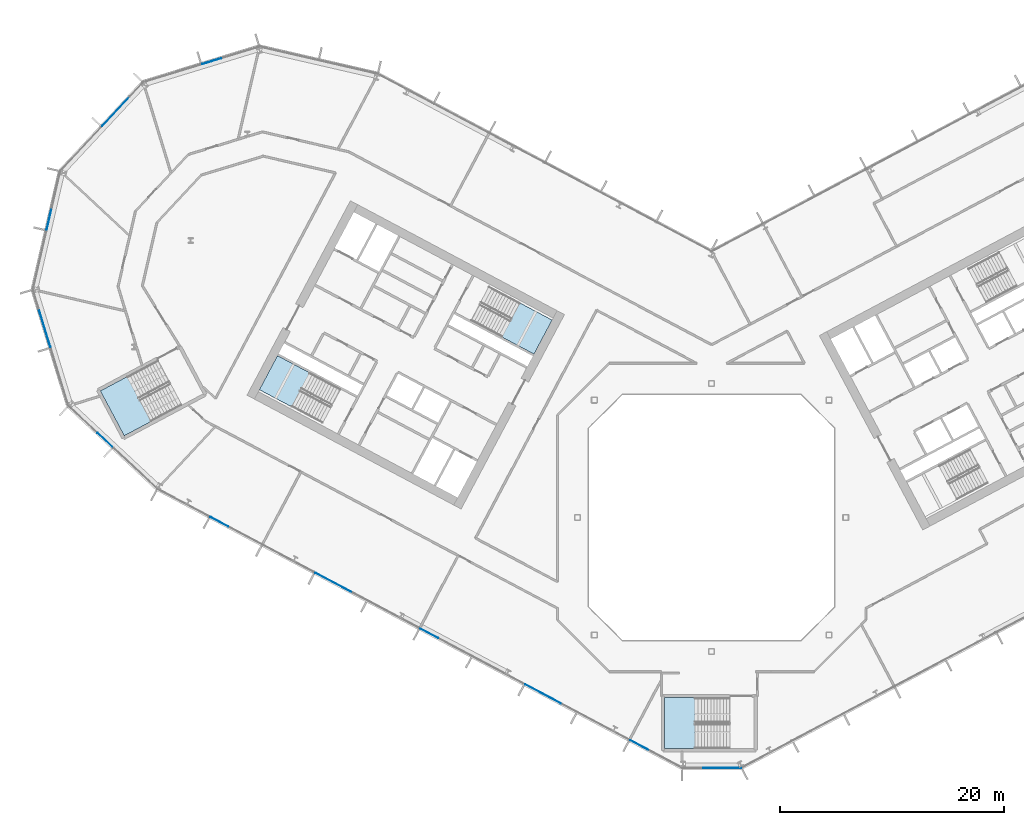
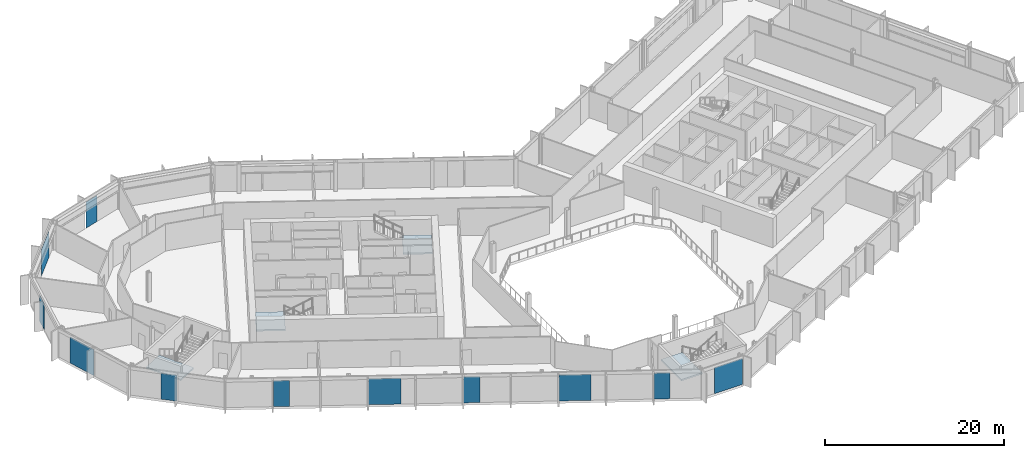
# One storey, part 11 of 28: 11 plates, 4 slabs, 11 elements without a shape of their own.
"""IFC4 building model written with IfcOpenShell, lengths in metres."""

from ifc_helpers import new_model, si_unit, direction, frame, origin, origin_2d, place, context, subcontext, project, spatial, polyline, rectangle, outline, extrude, material, layer, layer_set, type_object, element, aggregate, save


model = new_model("IFC4")

# Units and contexts
model_context = context("Model", 3, precision=1e-05, world=origin(), true_north=direction((0.0, 1.0)))
body_context = subcontext(model_context, "Body", "Model", "MODEL_VIEW")
ifc_project = project(units=[si_unit("LENGTHUNIT", "METRE"), si_unit("AREAUNIT", "SQUARE_METRE"), si_unit("VOLUMEUNIT", "CUBIC_METRE"), si_unit("PLANEANGLEUNIT", "RADIAN"), si_unit("MASSUNIT", "GRAM", prefix="KILO")], contexts=[model_context])

# Site, building, storey
site_placement = place(None, origin())
site = spatial("IfcSite", under=ifc_project, at=site_placement, CompositionType="ELEMENT")
building_placement = place(site_placement, origin())
building = spatial("IfcBuilding", under=site, at=building_placement, Name="Cormorant Relay Tower", CompositionType="ELEMENT")
storey_placement = place(building_placement, frame((0.0, 0.0, 122.199951171875)))
storey = spatial("IfcBuildingStorey", under=building, at=storey_placement, Name="L24", CompositionType="ELEMENT", Elevation=122.199951171875)

# Curtain wall, plate
ifc_material_1 = material(Name="Aluminium 6063-T6 anodised bronze", Category="aluminium")
ifc_layer_1 = layer(ifc_material_1, 0.199951171875)
ifc_layer_set_1 = layer_set([ifc_layer_1], Name="CW1 unitised bronze curtain wall with vertical fins")
curtain_wall_type = type_object("IfcCurtainWallType", Name="CW1 unitised bronze curtain wall with vertical fins", PredefinedType="NOTDEFINED", material=ifc_layer_set_1)
curtain_wall_1_placement = place(storey_placement, origin())
curtain_wall_1 = element("IfcCurtainWall", 1, at=curtain_wall_1_placement, inside=storey, type_object=curtain_wall_type, Name="CW1 curtain wall 11", PredefinedType="NOTDEFINED")
ifc_material_2 = material(Name="Tinted laminated glass", Category="glass")
ifc_layer_2 = layer(ifc_material_2, 0.0400390625)
ifc_layer_set_2 = layer_set([ifc_layer_2], Name="CW1 tinted vision panel 1800 module")
plate_type_1 = type_object("IfcPlateType", Name="CW1 tinted vision panel 1800 module", PredefinedType="CURTAIN_PANEL", material=ifc_layer_set_2)
plate_1_placement = place(storey_placement, frame((-44.73681640625, 40.82861328125, 0.0), z_axis=(0.0, 0.0, 1.0), x_axis=(-0.956304755963, -0.292371704723, 0.0)))
plate_1 = element("IfcPlate", 2, at=plate_1_placement, type_object=plate_type_1, Name="CW1 panel V01", PredefinedType="CURTAIN_PANEL", context=body_context, shape_type="SweptSolid", body=[
    extrude(rectangle(XDim=1.800048828125, YDim=0.0400390625, at=origin_2d()), origin(), (0.0, 0.0, 1.0), 3.550048828125),
])
aggregate(curtain_wall_1, [plate_1])

curtain_wall_2_placement = place(storey_placement, origin())
curtain_wall_2 = element("IfcCurtainWall", 3, at=curtain_wall_2_placement, inside=storey, type_object=curtain_wall_type, Name="CW1 curtain wall 13", PredefinedType="NOTDEFINED")
plate_2_placement = place(storey_placement, frame((-59.29736328125, 26.643798828125, 0.0), z_axis=(0.0, 0.0, 1.0), x_axis=(-0.224951054344, -0.974370064785, 0.0)))
plate_2 = element("IfcPlate", 4, at=plate_2_placement, type_object=plate_type_1, Name="CW1 panel V01", PredefinedType="CURTAIN_PANEL", context=body_context, shape_type="SweptSolid", body=[
    extrude(rectangle(XDim=1.800048828125, YDim=0.0400390625, at=origin_2d()), origin(), (0.0, 0.0, 1.0), 3.550048828125),
])
aggregate(curtain_wall_2, [plate_2])

curtain_wall_3_placement = place(storey_placement, origin())
curtain_wall_3 = element("IfcCurtainWall", 5, at=curtain_wall_3_placement, inside=storey, type_object=curtain_wall_type, Name="CW1 curtain wall 15", PredefinedType="NOTDEFINED")
plate_3_placement = place(storey_placement, frame((-54.293212890625, 6.94140625, 0.0), z_axis=(0.0, 0.0, 1.0), x_axis=(0.731353701619, -0.681998360062, 0.0)))
plate_3 = element("IfcPlate", 6, at=plate_3_placement, type_object=plate_type_1, Name="CW1 panel V01", PredefinedType="CURTAIN_PANEL", context=body_context, shape_type="SweptSolid", body=[
    extrude(rectangle(XDim=1.800048828125, YDim=0.0400390625, at=origin_2d()), origin(), (0.0, 0.0, 1.0), 3.550048828125),
])
aggregate(curtain_wall_3, [plate_3])

# Curtain wall, plates
curtain_wall_4_placement = place(storey_placement, origin())
curtain_wall_4 = element("IfcCurtainWall", 7, at=curtain_wall_4_placement, inside=storey, type_object=curtain_wall_type, Name="CW1 curtain wall 16", PredefinedType="NOTDEFINED")
plate_4_placement = place(storey_placement, frame((-44.0458984375, -0.38720703125, 0.0), z_axis=(0.0, 0.0, 1.0), x_axis=(0.882947592859, -0.469471562786, 0.0)))
plate_4 = element("IfcPlate", 8, at=plate_4_placement, type_object=plate_type_1, Name="CW1 panel V01", PredefinedType="CURTAIN_PANEL", context=body_context, shape_type="SweptSolid", body=[
    extrude(rectangle(XDim=1.800048828125, YDim=0.0400390625, at=origin_2d()), origin(), (0.0, 0.0, 1.0), 3.550048828125),
])
plate_5_placement = place(storey_placement, frame((-25.268798828125, -10.37109375, 0.0), z_axis=(0.0, 0.0, 1.0), x_axis=(0.882947592859, -0.469471562786, 0.0)))
plate_5 = element("IfcPlate", 9, at=plate_5_placement, type_object=plate_type_1, Name="CW1 panel V05", PredefinedType="CURTAIN_PANEL", context=body_context, shape_type="SweptSolid", body=[
    extrude(rectangle(XDim=1.800048828125, YDim=0.0400390625, at=origin_2d()), origin(), (0.0, 0.0, 1.0), 3.550048828125),
])
plate_6_placement = place(storey_placement, frame((-6.49169921875, -20.35498046875, 0.0), z_axis=(0.0, 0.0, 1.0), x_axis=(0.882947592859, -0.469471562786, 0.0)))
plate_6 = element("IfcPlate", 10, at=plate_6_placement, type_object=plate_type_1, Name="CW1 panel V09", PredefinedType="CURTAIN_PANEL", context=body_context, shape_type="SweptSolid", body=[
    extrude(rectangle(XDim=1.800048828125, YDim=0.0400390625, at=origin_2d()), origin(), (0.0, 0.0, 1.0), 3.550048828125),
])

# Curtain wall, plate
curtain_wall_5_placement = place(storey_placement, origin())
curtain_wall_5 = element("IfcCurtainWall", 11, at=curtain_wall_5_placement, inside=storey, type_object=curtain_wall_type, Name="CW1 curtain wall 1", PredefinedType="NOTDEFINED")
ifc_material_3 = material(Name="Tinted laminated glass", Category="glass")
ifc_layer_3 = layer(ifc_material_3, 0.0400390625)
ifc_layer_set_3 = layer_set([ifc_layer_3], Name="CW1 tinted vision panel 3600 module")
plate_type_2 = type_object("IfcPlateType", Name="CW1 tinted vision panel 3600 module", PredefinedType="CURTAIN_PANEL", material=ifc_layer_set_3)
plate_7_placement = place(storey_placement, frame((0.848876953125, -22.3955078125, 0.0), z_axis=(0.0, 0.0, 1.0), x_axis=(1.0, 0.0, 0.0)))
plate_7 = element("IfcPlate", 12, at=plate_7_placement, type_object=plate_type_2, Name="CW1 panel V01", PredefinedType="CURTAIN_PANEL", context=body_context, shape_type="SweptSolid", body=[
    extrude(rectangle(XDim=3.60009765625, YDim=0.0400390625, at=origin_2d()), origin(), (0.0, 0.0, 1.0), 3.550048828125),
])
aggregate(curtain_wall_5, [plate_7])

curtain_wall_6_placement = place(storey_placement, origin())
curtain_wall_6 = element("IfcCurtainWall", 13, at=curtain_wall_6_placement, inside=storey, type_object=curtain_wall_type, Name="CW1 curtain wall 12", PredefinedType="NOTDEFINED")
plate_8_placement = place(storey_placement, frame((-53.3037109375, 36.34521484375, 0.0), z_axis=(0.0, 0.0, 1.0), x_axis=(-0.681998360062, -0.731353701619, 0.0)))
plate_8 = element("IfcPlate", 14, at=plate_8_placement, type_object=plate_type_2, Name="CW1 panel V01", PredefinedType="CURTAIN_PANEL", context=body_context, shape_type="SweptSolid", body=[
    extrude(rectangle(XDim=3.60009765625, YDim=0.0400390625, at=origin_2d()), origin(), (0.0, 0.0, 1.0), 3.550048828125),
])
aggregate(curtain_wall_6, [plate_8])

curtain_wall_7_placement = place(storey_placement, origin())
curtain_wall_7 = element("IfcCurtainWall", 15, at=curtain_wall_7_placement, inside=storey, type_object=curtain_wall_type, Name="CW1 curtain wall 14", PredefinedType="NOTDEFINED")
plate_9_placement = place(storey_placement, frame((-59.697998046875, 16.98291015625, 0.0), z_axis=(0.0, 0.0, 1.0), x_axis=(0.292371704723, -0.956304755963, 0.0)))
plate_9 = element("IfcPlate", 16, at=plate_9_placement, type_object=plate_type_2, Name="CW1 panel V01", PredefinedType="CURTAIN_PANEL", context=body_context, shape_type="SweptSolid", body=[
    extrude(rectangle(XDim=3.60009765625, YDim=0.0400390625, at=origin_2d()), origin(), (0.0, 0.0, 1.0), 3.550048828125),
])
aggregate(curtain_wall_7, [plate_9])

# Plate
plate_10_placement = place(storey_placement, frame((-33.862548828125, -5.801513671875, 0.0), z_axis=(0.0, 0.0, 1.0), x_axis=(0.882947592859, -0.469471562786, 0.0)))
plate_10 = element("IfcPlate", 17, at=plate_10_placement, type_object=plate_type_2, Name="CW1 panel V03", PredefinedType="CURTAIN_PANEL", context=body_context, shape_type="SweptSolid", body=[
    extrude(rectangle(XDim=3.60009765625, YDim=0.0400390625, at=origin_2d()), origin(), (0.0, 0.0, 1.0), 3.550048828125),
])

plate_11_placement = place(storey_placement, frame((-15.08544921875, -15.785400390625, 0.0), z_axis=(0.0, 0.0, 1.0), x_axis=(0.882947592859, -0.469471562786, 0.0)))
plate_11 = element("IfcPlate", 18, at=plate_11_placement, type_object=plate_type_2, Name="CW1 panel V07", PredefinedType="CURTAIN_PANEL", context=body_context, shape_type="SweptSolid", body=[
    extrude(rectangle(XDim=3.60009765625, YDim=0.0400390625, at=origin_2d()), origin(), (0.0, 0.0, 1.0), 3.550048828125),
])

aggregate(curtain_wall_4, [plate_4, plate_10, plate_5, plate_11, plate_6])

# Stair, slab
ifc_material_4 = material(Name="Concrete 40 MPa", Category="concrete")
stair_type_1 = type_object("IfcStairType", Name="Exit stair 1500", PredefinedType="HALF_TURN_STAIR", material=ifc_material_4)
stair_1_placement = place(storey_placement, origin())
stair_1 = element("IfcStair", 19, at=stair_1_placement, inside=storey, type_object=stair_type_1, Name="L24 Stair", PredefinedType="HALF_TURN_STAIR")
ifc_material_5 = material(Name="Concrete 40 MPa", Category="concrete")
ifc_layer_4 = layer(ifc_material_5, 0.199951171875)
ifc_layer_set_4 = layer_set([ifc_layer_4], Name="Exit stair landing 200")
slab_type = type_object("IfcSlabType", Name="Exit stair landing 200", PredefinedType="LANDING", material=ifc_layer_set_4)
slab_1_placement = place(storey_placement, frame((0.0, 0.0, 1.800048828125)))
slab_1 = element("IfcSlab", 20, at=slab_1_placement, type_object=slab_type, Name="A1 landing 1", PredefinedType="LANDING", context=body_context, shape_type="SweptSolid", body=[
    extrude(outline(polyline([(-18.7822265625, 16.1591796875), (-15.89501953125, 14.6240234375), (-14.275390625, 17.670166015625), (-17.16259765625, 19.205322265625), (-18.7822265625, 16.1591796875)])), origin(), (0.0, 0.0, 1.0), 0.199951171875),
])
aggregate(stair_1, [slab_1])

stair_2_placement = place(storey_placement, origin())
stair_2 = element("IfcStair", 21, at=stair_2_placement, inside=storey, type_object=stair_type_1, Name="L24 Stair", PredefinedType="HALF_TURN_STAIR")
slab_2_placement = place(storey_placement, frame((0.0, 0.0, 1.800048828125)))
slab_2 = element("IfcSlab", 22, at=slab_2_placement, type_object=slab_type, Name="A2 landing 1", PredefinedType="LANDING", context=body_context, shape_type="SweptSolid", body=[
    extrude(outline(polyline([(-35.96044921875, 12.947998046875), (-38.84765625, 14.483154296875), (-40.467529296875, 11.43701171875), (-37.580322265625, 9.90185546875), (-35.96044921875, 12.947998046875)])), origin(), (0.0, 0.0, 1.0), 0.199951171875),
])
aggregate(stair_2, [slab_2])

ifc_material_6 = material(Name="Concrete 40 MPa", Category="concrete")
stair_type_2 = type_object("IfcStairType", Name="Remote exit stair 2200", PredefinedType="HALF_TURN_STAIR", material=ifc_material_6)
stair_3_placement = place(storey_placement, origin())
stair_3 = element("IfcStair", 23, at=stair_3_placement, inside=storey, type_object=stair_type_2, Name="L24 Stair", PredefinedType="HALF_TURN_STAIR")
slab_3_placement = place(storey_placement, frame((0.0, 0.0, 1.800048828125)))
slab_3 = element("IfcSlab", 24, at=slab_3_placement, type_object=slab_type, Name="RK1 landing 1", PredefinedType="LANDING", context=body_context, shape_type="SweptSolid", body=[
    extrude(outline(polyline([(-1.47998046875, -16.125), (-4.199951171875, -16.125), (-4.199951171875, -20.675048828125), (-1.47998046875, -20.675048828125), (-1.47998046875, -16.125)])), origin(), (0.0, 0.0, 1.0), 0.199951171875),
])
aggregate(stair_3, [slab_3])

stair_4_placement = place(storey_placement, origin())
stair_4 = element("IfcStair", 25, at=stair_4_placement, inside=storey, type_object=stair_type_2, Name="L24 Stair", PredefinedType="HALF_TURN_STAIR")
slab_4_placement = place(storey_placement, frame((0.0, 0.0, 1.800048828125)))
slab_4 = element("IfcSlab", 26, at=slab_4_placement, type_object=slab_type, Name="RP1 landing 1", PredefinedType="LANDING", context=body_context, shape_type="SweptSolid", body=[
    extrude(outline(polyline([(-52.29833984375, 12.607666015625), (-54.699951171875, 11.330810546875), (-52.563720703125, 7.3134765625), (-50.162109375, 8.59033203125), (-52.29833984375, 12.607666015625)])), origin(), (0.0, 0.0, 1.0), 0.199951171875),
])
aggregate(stair_4, [slab_4])

save(model, "model.ifc")
